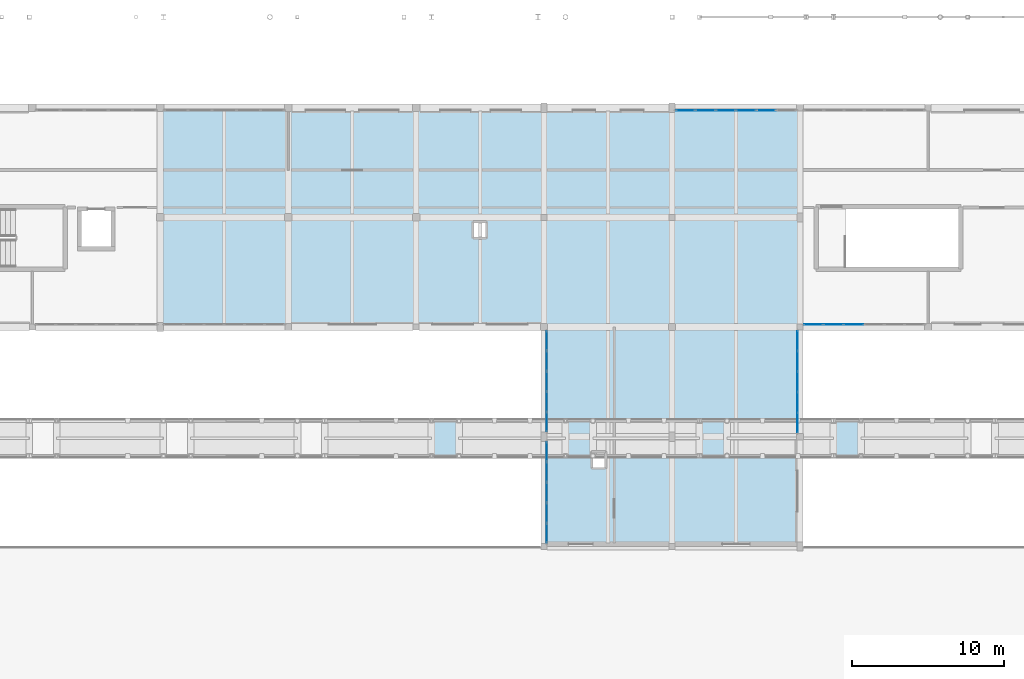
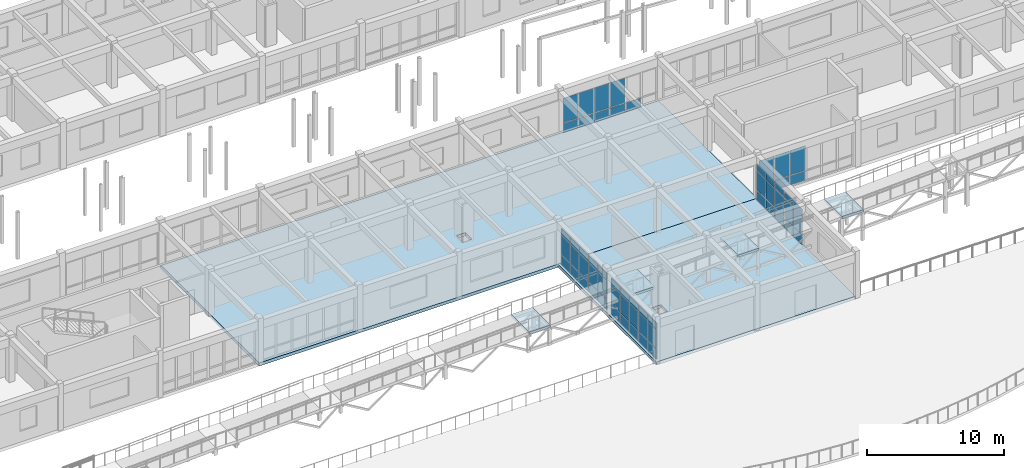
# One storey, part 58 of 90: 60 plates, 6 slabs, 6 elements without a shape of their own.
"""IFC4 building model written with IfcOpenShell, lengths in metres."""

from ifc_helpers import new_model, si_unit, direction, frame, origin, origin_2d, place, context, subcontext, project, spatial, polyline, rectangle, outline, extrude, material, layer, layer_set, type_object, element, aggregate, save


model = new_model("IFC4")

# Units and contexts
model_context = context("Model", 3, precision=1e-05, world=origin(), true_north=direction((0.0, 1.0)))
body_context = subcontext(model_context, "Body", "Model", "MODEL_VIEW")
ifc_project = project(units=[si_unit("LENGTHUNIT", "METRE"), si_unit("AREAUNIT", "SQUARE_METRE"), si_unit("VOLUMEUNIT", "CUBIC_METRE"), si_unit("PLANEANGLEUNIT", "RADIAN"), si_unit("MASSUNIT", "GRAM", prefix="KILO")], contexts=[model_context])

# Site, building, storey
site_placement = place(None, origin())
site = spatial("IfcSite", under=ifc_project, at=site_placement, CompositionType="ELEMENT")
building_placement = place(site_placement, origin())
building = spatial("IfcBuilding", under=site, at=building_placement, Name="Malvenik Polytechnic", CompositionType="ELEMENT")
storey_placement = place(building_placement, frame((0.0, 0.0, 9.300048828125)))
storey = spatial("IfcBuildingStorey", under=building, at=storey_placement, Name="L02", CompositionType="ELEMENT", Elevation=9.300048828125)

# Curtain wall, plates
ifc_material_1 = material(Name="Anodised aluminium 6060-T6", Category="aluminium")
curtain_wall_type_1 = type_object("IfcCurtainWallType", Name="ARC-CW-CW-06", PredefinedType="NOTDEFINED", material=ifc_material_1)
curtain_wall_1_placement = place(storey_placement, origin())
curtain_wall_1 = element("IfcCurtainWall", 1, at=curtain_wall_1_placement, inside=storey, type_object=curtain_wall_type_1, Name="Unitised Curtain Wall CW-06 L02 #135", PredefinedType="NOTDEFINED")
ifc_material_2 = material(Name="Triple solar-control glazing 8-14-6-14-8", Category="glass")
ifc_layer_1 = layer(ifc_material_2, 0.035888671875)
ifc_layer_set_1 = layer_set([ifc_layer_1], Name="Triple solar-control glazing 8-14-6-14-8")
plate_type_1 = type_object("IfcPlateType", Name="ARC-CWP-CP-GLZ36", PredefinedType="CURTAIN_PANEL", material=ifc_layer_set_1)
plate_1_placement = place(storey_placement, frame((75.77001953125, 36.88330078125, 0.97998046875), z_axis=(0.0, 0.0, 1.0), x_axis=(0.0, 1.0, 0.0)))
plate_1 = element("IfcPlate", 2, at=plate_1_placement, type_object=plate_type_1, Name="CW-06 panel 1.2", PredefinedType="CURTAIN_PANEL", context=body_context, shape_type="SweptSolid", body=[
    extrude(rectangle(XDim=1.250732421875, YDim=0.028076171875, at=origin_2d()), origin(), (0.0, 0.0, 1.0), 1.669921875),
])
plate_2_placement = place(storey_placement, frame((75.77001953125, 36.88330078125, 2.7099609375), z_axis=(0.0, 0.0, 1.0), x_axis=(0.0, 1.0, 0.0)))
plate_2 = element("IfcPlate", 3, at=plate_2_placement, type_object=plate_type_1, Name="CW-06 panel 1.3", PredefinedType="CURTAIN_PANEL", context=body_context, shape_type="SweptSolid", body=[
    extrude(rectangle(XDim=1.250732421875, YDim=0.028076171875, at=origin_2d()), origin(), (0.0, 0.0, 1.0), 0.56005859375),
])
plate_3_placement = place(storey_placement, frame((75.77001953125, 38.209228515625, 0.97998046875), z_axis=(0.0, 0.0, 1.0), x_axis=(0.0, 1.0, 0.0)))
plate_3 = element("IfcPlate", 4, at=plate_3_placement, type_object=plate_type_1, Name="CW-06 panel 2.2", PredefinedType="CURTAIN_PANEL", context=body_context, shape_type="SweptSolid", body=[
    extrude(rectangle(XDim=1.28076171875, YDim=0.028076171875, at=origin_2d()), origin(), (0.0, 0.0, 1.0), 1.669921875),
])
plate_4_placement = place(storey_placement, frame((75.77001953125, 38.209228515625, 2.7099609375), z_axis=(0.0, 0.0, 1.0), x_axis=(0.0, 1.0, 0.0)))
plate_4 = element("IfcPlate", 5, at=plate_4_placement, type_object=plate_type_1, Name="CW-06 panel 2.3", PredefinedType="CURTAIN_PANEL", context=body_context, shape_type="SweptSolid", body=[
    extrude(rectangle(XDim=1.28076171875, YDim=0.028076171875, at=origin_2d()), origin(), (0.0, 0.0, 1.0), 0.56005859375),
])
plate_5_placement = place(storey_placement, frame((75.77001953125, 39.550048828125, 0.97998046875), z_axis=(0.0, 0.0, 1.0), x_axis=(0.0, 1.0, 0.0)))
plate_5 = element("IfcPlate", 6, at=plate_5_placement, type_object=plate_type_1, Name="CW-06 panel 3.2", PredefinedType="CURTAIN_PANEL", context=body_context, shape_type="SweptSolid", body=[
    extrude(rectangle(XDim=1.28076171875, YDim=0.028076171875, at=origin_2d()), origin(), (0.0, 0.0, 1.0), 1.669921875),
])
plate_6_placement = place(storey_placement, frame((75.77001953125, 39.550048828125, 2.7099609375), z_axis=(0.0, 0.0, 1.0), x_axis=(0.0, 1.0, 0.0)))
plate_6 = element("IfcPlate", 7, at=plate_6_placement, type_object=plate_type_1, Name="CW-06 panel 3.3", PredefinedType="CURTAIN_PANEL", context=body_context, shape_type="SweptSolid", body=[
    extrude(rectangle(XDim=1.28076171875, YDim=0.028076171875, at=origin_2d()), origin(), (0.0, 0.0, 1.0), 0.56005859375),
])
plate_7_placement = place(storey_placement, frame((75.77001953125, 40.890869140625, 0.97998046875), z_axis=(0.0, 0.0, 1.0), x_axis=(0.0, 1.0, 0.0)))
plate_7 = element("IfcPlate", 8, at=plate_7_placement, type_object=plate_type_1, Name="CW-06 panel 4.2", PredefinedType="CURTAIN_PANEL", context=body_context, shape_type="SweptSolid", body=[
    extrude(rectangle(XDim=1.28076171875, YDim=0.028076171875, at=origin_2d()), origin(), (0.0, 0.0, 1.0), 1.669921875),
])
plate_8_placement = place(storey_placement, frame((75.77001953125, 40.890869140625, 2.7099609375), z_axis=(0.0, 0.0, 1.0), x_axis=(0.0, 1.0, 0.0)))
plate_8 = element("IfcPlate", 9, at=plate_8_placement, type_object=plate_type_1, Name="CW-06 panel 4.3", PredefinedType="CURTAIN_PANEL", context=body_context, shape_type="SweptSolid", body=[
    extrude(rectangle(XDim=1.28076171875, YDim=0.028076171875, at=origin_2d()), origin(), (0.0, 0.0, 1.0), 0.56005859375),
])
plate_9_placement = place(storey_placement, frame((75.77001953125, 42.216552734375, 0.97998046875), z_axis=(0.0, 0.0, 1.0), x_axis=(0.0, 1.0, 0.0)))
plate_9 = element("IfcPlate", 10, at=plate_9_placement, type_object=plate_type_1, Name="CW-06 panel 5.2", PredefinedType="CURTAIN_PANEL", context=body_context, shape_type="SweptSolid", body=[
    extrude(rectangle(XDim=1.250732421875, YDim=0.028076171875, at=origin_2d()), origin(), (0.0, 0.0, 1.0), 1.669921875),
])
plate_10_placement = place(storey_placement, frame((75.77001953125, 42.216552734375, 2.7099609375), z_axis=(0.0, 0.0, 1.0), x_axis=(0.0, 1.0, 0.0)))
plate_10 = element("IfcPlate", 11, at=plate_10_placement, type_object=plate_type_1, Name="CW-06 panel 5.3", PredefinedType="CURTAIN_PANEL", context=body_context, shape_type="SweptSolid", body=[
    extrude(rectangle(XDim=1.250732421875, YDim=0.028076171875, at=origin_2d()), origin(), (0.0, 0.0, 1.0), 0.56005859375),
])

curtain_wall_2_placement = place(storey_placement, origin())
curtain_wall_2 = element("IfcCurtainWall", 12, at=curtain_wall_2_placement, inside=storey, type_object=curtain_wall_type_1, Name="Unitised Curtain Wall CW-06 L02 #136", PredefinedType="NOTDEFINED")
plate_11_placement = place(storey_placement, frame((75.77001953125, 44.180908203125, 0.97998046875), z_axis=(0.0, 0.0, 1.0), x_axis=(0.0, 1.0, 0.0)))
plate_11 = element("IfcPlate", 13, at=plate_11_placement, type_object=plate_type_1, Name="CW-06 panel 1.2", PredefinedType="CURTAIN_PANEL", context=body_context, shape_type="SweptSolid", body=[
    extrude(rectangle(XDim=1.245849609375, YDim=0.028076171875, at=origin_2d()), origin(), (0.0, 0.0, 1.0), 1.669921875),
])
plate_12_placement = place(storey_placement, frame((75.77001953125, 44.180908203125, 2.7099609375), z_axis=(0.0, 0.0, 1.0), x_axis=(0.0, 1.0, 0.0)))
plate_12 = element("IfcPlate", 14, at=plate_12_placement, type_object=plate_type_1, Name="CW-06 panel 1.3", PredefinedType="CURTAIN_PANEL", context=body_context, shape_type="SweptSolid", body=[
    extrude(rectangle(XDim=1.245849609375, YDim=0.028076171875, at=origin_2d()), origin(), (0.0, 0.0, 1.0), 0.56005859375),
])
plate_13_placement = place(storey_placement, frame((75.77001953125, 45.501708984375, 0.97998046875), z_axis=(0.0, 0.0, 1.0), x_axis=(0.0, 1.0, 0.0)))
plate_13 = element("IfcPlate", 15, at=plate_13_placement, type_object=plate_type_1, Name="CW-06 panel 2.2", PredefinedType="CURTAIN_PANEL", context=body_context, shape_type="SweptSolid", body=[
    extrude(rectangle(XDim=1.27587890625, YDim=0.028076171875, at=origin_2d()), origin(), (0.0, 0.0, 1.0), 1.669921875),
])
plate_14_placement = place(storey_placement, frame((75.77001953125, 45.501708984375, 2.7099609375), z_axis=(0.0, 0.0, 1.0), x_axis=(0.0, 1.0, 0.0)))
plate_14 = element("IfcPlate", 16, at=plate_14_placement, type_object=plate_type_1, Name="CW-06 panel 2.3", PredefinedType="CURTAIN_PANEL", context=body_context, shape_type="SweptSolid", body=[
    extrude(rectangle(XDim=1.27587890625, YDim=0.028076171875, at=origin_2d()), origin(), (0.0, 0.0, 1.0), 0.56005859375),
])
plate_15_placement = place(storey_placement, frame((75.77001953125, 46.83740234375, 0.97998046875), z_axis=(0.0, 0.0, 1.0), x_axis=(0.0, 1.0, 0.0)))
plate_15 = element("IfcPlate", 17, at=plate_15_placement, type_object=plate_type_1, Name="CW-06 panel 3.2", PredefinedType="CURTAIN_PANEL", context=body_context, shape_type="SweptSolid", body=[
    extrude(rectangle(XDim=1.27587890625, YDim=0.028076171875, at=origin_2d()), origin(), (0.0, 0.0, 1.0), 1.669921875),
])
plate_16_placement = place(storey_placement, frame((75.77001953125, 46.83740234375, 2.7099609375), z_axis=(0.0, 0.0, 1.0), x_axis=(0.0, 1.0, 0.0)))
plate_16 = element("IfcPlate", 18, at=plate_16_placement, type_object=plate_type_1, Name="CW-06 panel 3.3", PredefinedType="CURTAIN_PANEL", context=body_context, shape_type="SweptSolid", body=[
    extrude(rectangle(XDim=1.27587890625, YDim=0.028076171875, at=origin_2d()), origin(), (0.0, 0.0, 1.0), 0.56005859375),
])
plate_17_placement = place(storey_placement, frame((75.77001953125, 48.17333984375, 0.97998046875), z_axis=(0.0, 0.0, 1.0), x_axis=(0.0, 1.0, 0.0)))
plate_17 = element("IfcPlate", 19, at=plate_17_placement, type_object=plate_type_1, Name="CW-06 panel 4.2", PredefinedType="CURTAIN_PANEL", context=body_context, shape_type="SweptSolid", body=[
    extrude(rectangle(XDim=1.27587890625, YDim=0.028076171875, at=origin_2d()), origin(), (0.0, 0.0, 1.0), 1.669921875),
])
plate_18_placement = place(storey_placement, frame((75.77001953125, 48.17333984375, 2.7099609375), z_axis=(0.0, 0.0, 1.0), x_axis=(0.0, 1.0, 0.0)))
plate_18 = element("IfcPlate", 20, at=plate_18_placement, type_object=plate_type_1, Name="CW-06 panel 4.3", PredefinedType="CURTAIN_PANEL", context=body_context, shape_type="SweptSolid", body=[
    extrude(rectangle(XDim=1.27587890625, YDim=0.028076171875, at=origin_2d()), origin(), (0.0, 0.0, 1.0), 0.56005859375),
])
plate_19_placement = place(storey_placement, frame((75.77001953125, 49.494140625, 0.97998046875), z_axis=(0.0, 0.0, 1.0), x_axis=(0.0, 1.0, 0.0)))
plate_19 = element("IfcPlate", 21, at=plate_19_placement, type_object=plate_type_1, Name="CW-06 panel 5.2", PredefinedType="CURTAIN_PANEL", context=body_context, shape_type="SweptSolid", body=[
    extrude(rectangle(XDim=1.245849609375, YDim=0.028076171875, at=origin_2d()), origin(), (0.0, 0.0, 1.0), 1.669921875),
])
plate_20_placement = place(storey_placement, frame((75.77001953125, 49.494140625, 2.7099609375), z_axis=(0.0, 0.0, 1.0), x_axis=(0.0, 1.0, 0.0)))
plate_20 = element("IfcPlate", 22, at=plate_20_placement, type_object=plate_type_1, Name="CW-06 panel 5.3", PredefinedType="CURTAIN_PANEL", context=body_context, shape_type="SweptSolid", body=[
    extrude(rectangle(XDim=1.245849609375, YDim=0.028076171875, at=origin_2d()), origin(), (0.0, 0.0, 1.0), 0.56005859375),
])

curtain_wall_type_2 = type_object("IfcCurtainWallType", Name="ARC-CW-CW-03", PredefinedType="NOTDEFINED", material=ifc_material_1)
curtain_wall_3_placement = place(storey_placement, origin())
curtain_wall_3 = element("IfcCurtainWall", 23, at=curtain_wall_3_placement, inside=storey, type_object=curtain_wall_type_2, Name="Unitised Curtain Wall CW-03 L02 #141", PredefinedType="NOTDEFINED")
plate_21_placement = place(storey_placement, frame((84.8779296875, 64.6298828125, 0.929931640625), z_axis=(0.0, 0.0, 1.0), x_axis=(1.0, 0.0, 0.0)))
plate_21 = element("IfcPlate", 24, at=plate_21_placement, type_object=plate_type_1, Name="CW-03 panel 1.2", PredefinedType="CURTAIN_PANEL", context=body_context, shape_type="SweptSolid", body=[
    extrude(rectangle(XDim=1.23974609375, YDim=0.028076171875, at=origin_2d()), origin(), (0.0, 0.0, 1.0), 2.18994140625),
])
plate_22_placement = place(storey_placement, frame((86.19287109375, 64.6298828125, 0.929931640625), z_axis=(0.0, 0.0, 1.0), x_axis=(1.0, 0.0, 0.0)))
plate_22 = element("IfcPlate", 25, at=plate_22_placement, type_object=plate_type_1, Name="CW-03 panel 2.2", PredefinedType="CURTAIN_PANEL", context=body_context, shape_type="SweptSolid", body=[
    extrude(rectangle(XDim=1.269775390625, YDim=0.028076171875, at=origin_2d()), origin(), (0.0, 0.0, 1.0), 2.18994140625),
])
plate_23_placement = place(storey_placement, frame((87.522705078125, 64.6298828125, 0.929931640625), z_axis=(0.0, 0.0, 1.0), x_axis=(1.0, 0.0, 0.0)))
plate_23 = element("IfcPlate", 26, at=plate_23_placement, type_object=plate_type_1, Name="CW-03 panel 3.2", PredefinedType="CURTAIN_PANEL", context=body_context, shape_type="SweptSolid", body=[
    extrude(rectangle(XDim=1.269775390625, YDim=0.028076171875, at=origin_2d()), origin(), (0.0, 0.0, 1.0), 2.18994140625),
])
plate_24_placement = place(storey_placement, frame((88.852294921875, 64.6298828125, 0.929931640625), z_axis=(0.0, 0.0, 1.0), x_axis=(1.0, 0.0, 0.0)))
plate_24 = element("IfcPlate", 27, at=plate_24_placement, type_object=plate_type_1, Name="CW-03 panel 4.2", PredefinedType="CURTAIN_PANEL", context=body_context, shape_type="SweptSolid", body=[
    extrude(rectangle(XDim=1.269775390625, YDim=0.028076171875, at=origin_2d()), origin(), (0.0, 0.0, 1.0), 2.18994140625),
])

curtain_wall_4_placement = place(storey_placement, origin())
curtain_wall_4 = element("IfcCurtainWall", 28, at=curtain_wall_4_placement, inside=storey, type_object=curtain_wall_type_2, Name="Unitised Curtain Wall CW-03 L02 #145", PredefinedType="NOTDEFINED")
plate_25_placement = place(storey_placement, frame((95.922607421875, 50.570068359375, 0.929931640625), z_axis=(0.0, 0.0, 1.0), x_axis=(-1.0, 0.0, 0.0)))
plate_25 = element("IfcPlate", 29, at=plate_25_placement, type_object=plate_type_1, Name="CW-03 panel 4.2", PredefinedType="CURTAIN_PANEL", context=body_context, shape_type="SweptSolid", body=[
    extrude(rectangle(XDim=1.269775390625, YDim=0.028076171875, at=origin_2d()), origin(), (0.0, 0.0, 1.0), 2.18994140625),
])
plate_26_placement = place(storey_placement, frame((94.5927734375, 50.570068359375, 0.929931640625), z_axis=(0.0, 0.0, 1.0), x_axis=(-1.0, 0.0, 0.0)))
plate_26 = element("IfcPlate", 30, at=plate_26_placement, type_object=plate_type_1, Name="CW-03 panel 5.2", PredefinedType="CURTAIN_PANEL", context=body_context, shape_type="SweptSolid", body=[
    extrude(rectangle(XDim=1.269775390625, YDim=0.028076171875, at=origin_2d()), origin(), (0.0, 0.0, 1.0), 2.18994140625),
])
plate_27_placement = place(storey_placement, frame((93.27783203125, 50.570068359375, 0.929931640625), z_axis=(0.0, 0.0, 1.0), x_axis=(-1.0, 0.0, 0.0)))
plate_27 = element("IfcPlate", 31, at=plate_27_placement, type_object=plate_type_1, Name="CW-03 panel 6.2", PredefinedType="CURTAIN_PANEL", context=body_context, shape_type="SweptSolid", body=[
    extrude(rectangle(XDim=1.23974609375, YDim=0.028076171875, at=origin_2d()), origin(), (0.0, 0.0, 1.0), 2.18994140625),
])

curtain_wall_5_placement = place(storey_placement, origin())
curtain_wall_5 = element("IfcCurtainWall", 32, at=curtain_wall_5_placement, inside=storey, type_object=curtain_wall_type_1, Name="Unitised Curtain Wall CW-06 L02 #146", PredefinedType="NOTDEFINED")
plate_28_placement = place(storey_placement, frame((92.22998046875, 49.509033203125, 0.97998046875), z_axis=(0.0, 0.0, 1.0), x_axis=(0.0, -1.0, 0.0)))
plate_28 = element("IfcPlate", 33, at=plate_28_placement, type_object=plate_type_1, Name="CW-06 panel 1.2", PredefinedType="CURTAIN_PANEL", context=body_context, shape_type="SweptSolid", body=[
    extrude(rectangle(XDim=1.265869140625, YDim=0.028076171875, at=origin_2d()), origin(), (0.0, 0.0, 1.0), 1.669921875),
])
plate_29_placement = place(storey_placement, frame((92.22998046875, 49.509033203125, 2.7099609375), z_axis=(0.0, 0.0, 1.0), x_axis=(0.0, -1.0, 0.0)))
plate_29 = element("IfcPlate", 34, at=plate_29_placement, type_object=plate_type_1, Name="CW-06 panel 1.3", PredefinedType="CURTAIN_PANEL", context=body_context, shape_type="SweptSolid", body=[
    extrude(rectangle(XDim=1.265869140625, YDim=0.028076171875, at=origin_2d()), origin(), (0.0, 0.0, 1.0), 0.56005859375),
])
plate_30_placement = place(storey_placement, frame((92.22998046875, 48.168212890625, 0.97998046875), z_axis=(0.0, 0.0, 1.0), x_axis=(0.0, -1.0, 0.0)))
plate_30 = element("IfcPlate", 35, at=plate_30_placement, type_object=plate_type_1, Name="CW-06 panel 2.2", PredefinedType="CURTAIN_PANEL", context=body_context, shape_type="SweptSolid", body=[
    extrude(rectangle(XDim=1.2958984375, YDim=0.028076171875, at=origin_2d()), origin(), (0.0, 0.0, 1.0), 1.669921875),
])
plate_31_placement = place(storey_placement, frame((92.22998046875, 48.168212890625, 2.7099609375), z_axis=(0.0, 0.0, 1.0), x_axis=(0.0, -1.0, 0.0)))
plate_31 = element("IfcPlate", 36, at=plate_31_placement, type_object=plate_type_1, Name="CW-06 panel 2.3", PredefinedType="CURTAIN_PANEL", context=body_context, shape_type="SweptSolid", body=[
    extrude(rectangle(XDim=1.2958984375, YDim=0.028076171875, at=origin_2d()), origin(), (0.0, 0.0, 1.0), 0.56005859375),
])
plate_32_placement = place(storey_placement, frame((92.22998046875, 46.8125, 0.97998046875), z_axis=(0.0, 0.0, 1.0), x_axis=(0.0, -1.0, 0.0)))
plate_32 = element("IfcPlate", 37, at=plate_32_placement, type_object=plate_type_1, Name="CW-06 panel 3.2", PredefinedType="CURTAIN_PANEL", context=body_context, shape_type="SweptSolid", body=[
    extrude(rectangle(XDim=1.2958984375, YDim=0.028076171875, at=origin_2d()), origin(), (0.0, 0.0, 1.0), 1.669921875),
])
plate_33_placement = place(storey_placement, frame((92.22998046875, 46.8125, 2.7099609375), z_axis=(0.0, 0.0, 1.0), x_axis=(0.0, -1.0, 0.0)))
plate_33 = element("IfcPlate", 38, at=plate_33_placement, type_object=plate_type_1, Name="CW-06 panel 3.3", PredefinedType="CURTAIN_PANEL", context=body_context, shape_type="SweptSolid", body=[
    extrude(rectangle(XDim=1.2958984375, YDim=0.028076171875, at=origin_2d()), origin(), (0.0, 0.0, 1.0), 0.56005859375),
])
plate_34_placement = place(storey_placement, frame((92.22998046875, 45.456787109375, 0.97998046875), z_axis=(0.0, 0.0, 1.0), x_axis=(0.0, -1.0, 0.0)))
plate_34 = element("IfcPlate", 39, at=plate_34_placement, type_object=plate_type_1, Name="CW-06 panel 4.2", PredefinedType="CURTAIN_PANEL", context=body_context, shape_type="SweptSolid", body=[
    extrude(rectangle(XDim=1.2958984375, YDim=0.028076171875, at=origin_2d()), origin(), (0.0, 0.0, 1.0), 1.669921875),
])
plate_35_placement = place(storey_placement, frame((92.22998046875, 45.456787109375, 2.7099609375), z_axis=(0.0, 0.0, 1.0), x_axis=(0.0, -1.0, 0.0)))
plate_35 = element("IfcPlate", 40, at=plate_35_placement, type_object=plate_type_1, Name="CW-06 panel 4.3", PredefinedType="CURTAIN_PANEL", context=body_context, shape_type="SweptSolid", body=[
    extrude(rectangle(XDim=1.2958984375, YDim=0.028076171875, at=origin_2d()), origin(), (0.0, 0.0, 1.0), 0.56005859375),
])
plate_36_placement = place(storey_placement, frame((92.22998046875, 44.115966796875, 0.97998046875), z_axis=(0.0, 0.0, 1.0), x_axis=(0.0, -1.0, 0.0)))
plate_36 = element("IfcPlate", 41, at=plate_36_placement, type_object=plate_type_1, Name="CW-06 panel 5.2", PredefinedType="CURTAIN_PANEL", context=body_context, shape_type="SweptSolid", body=[
    extrude(rectangle(XDim=1.265869140625, YDim=0.028076171875, at=origin_2d()), origin(), (0.0, 0.0, 1.0), 1.669921875),
])
plate_37_placement = place(storey_placement, frame((92.22998046875, 44.115966796875, 2.7099609375), z_axis=(0.0, 0.0, 1.0), x_axis=(0.0, -1.0, 0.0)))
plate_37 = element("IfcPlate", 42, at=plate_37_placement, type_object=plate_type_1, Name="CW-06 panel 5.3", PredefinedType="CURTAIN_PANEL", context=body_context, shape_type="SweptSolid", body=[
    extrude(rectangle(XDim=1.265869140625, YDim=0.028076171875, at=origin_2d()), origin(), (0.0, 0.0, 1.0), 0.56005859375),
])

# Plate
ifc_material_3 = material(Name="Insulated aluminium spandrel cassette 42mm", Category="aluminium")
ifc_layer_2 = layer(ifc_material_3, 0.0419921875)
ifc_layer_set_2 = layer_set([ifc_layer_2], Name="Insulated aluminium spandrel cassette 42mm")
plate_type_2 = type_object("IfcPlateType", Name="ARC-CWP-CP-SPN42", PredefinedType="CURTAIN_PANEL", material=ifc_layer_set_2)
plate_38_placement = place(storey_placement, frame((75.77001953125, 36.88330078125, 0.06005859375), z_axis=(0.0, 0.0, 1.0), x_axis=(0.0, 1.0, 0.0)))
plate_38 = element("IfcPlate", 43, at=plate_38_placement, type_object=plate_type_2, Name="CW-06 panel 1.1", PredefinedType="CURTAIN_PANEL", context=body_context, shape_type="SweptSolid", body=[
    extrude(rectangle(XDim=1.250732421875, YDim=0.028076171875, at=origin_2d()), origin(), (0.0, 0.0, 1.0), 0.860107421875),
])

plate_39_placement = place(storey_placement, frame((75.77001953125, 38.209228515625, 0.06005859375), z_axis=(0.0, 0.0, 1.0), x_axis=(0.0, 1.0, 0.0)))
plate_39 = element("IfcPlate", 44, at=plate_39_placement, type_object=plate_type_2, Name="CW-06 panel 2.1", PredefinedType="CURTAIN_PANEL", context=body_context, shape_type="SweptSolid", body=[
    extrude(rectangle(XDim=1.28076171875, YDim=0.028076171875, at=origin_2d()), origin(), (0.0, 0.0, 1.0), 0.860107421875),
])

plate_40_placement = place(storey_placement, frame((75.77001953125, 39.550048828125, 0.06005859375), z_axis=(0.0, 0.0, 1.0), x_axis=(0.0, 1.0, 0.0)))
plate_40 = element("IfcPlate", 45, at=plate_40_placement, type_object=plate_type_2, Name="CW-06 panel 3.1", PredefinedType="CURTAIN_PANEL", context=body_context, shape_type="SweptSolid", body=[
    extrude(rectangle(XDim=1.28076171875, YDim=0.028076171875, at=origin_2d()), origin(), (0.0, 0.0, 1.0), 0.860107421875),
])

plate_41_placement = place(storey_placement, frame((75.77001953125, 40.890869140625, 0.06005859375), z_axis=(0.0, 0.0, 1.0), x_axis=(0.0, 1.0, 0.0)))
plate_41 = element("IfcPlate", 46, at=plate_41_placement, type_object=plate_type_2, Name="CW-06 panel 4.1", PredefinedType="CURTAIN_PANEL", context=body_context, shape_type="SweptSolid", body=[
    extrude(rectangle(XDim=1.28076171875, YDim=0.028076171875, at=origin_2d()), origin(), (0.0, 0.0, 1.0), 0.860107421875),
])

plate_42_placement = place(storey_placement, frame((75.77001953125, 42.216552734375, 0.06005859375), z_axis=(0.0, 0.0, 1.0), x_axis=(0.0, 1.0, 0.0)))
plate_42 = element("IfcPlate", 47, at=plate_42_placement, type_object=plate_type_2, Name="CW-06 panel 5.1", PredefinedType="CURTAIN_PANEL", context=body_context, shape_type="SweptSolid", body=[
    extrude(rectangle(XDim=1.250732421875, YDim=0.028076171875, at=origin_2d()), origin(), (0.0, 0.0, 1.0), 0.860107421875),
])

aggregate(curtain_wall_1, [plate_38, plate_1, plate_2, plate_39, plate_3, plate_4, plate_40, plate_5, plate_6, plate_41, plate_7, plate_8, plate_42, plate_9, plate_10])

plate_43_placement = place(storey_placement, frame((75.77001953125, 44.180908203125, 0.06005859375), z_axis=(0.0, 0.0, 1.0), x_axis=(0.0, 1.0, 0.0)))
plate_43 = element("IfcPlate", 48, at=plate_43_placement, type_object=plate_type_2, Name="CW-06 panel 1.1", PredefinedType="CURTAIN_PANEL", context=body_context, shape_type="SweptSolid", body=[
    extrude(rectangle(XDim=1.245849609375, YDim=0.028076171875, at=origin_2d()), origin(), (0.0, 0.0, 1.0), 0.860107421875),
])

plate_44_placement = place(storey_placement, frame((75.77001953125, 45.501708984375, 0.06005859375), z_axis=(0.0, 0.0, 1.0), x_axis=(0.0, 1.0, 0.0)))
plate_44 = element("IfcPlate", 49, at=plate_44_placement, type_object=plate_type_2, Name="CW-06 panel 2.1", PredefinedType="CURTAIN_PANEL", context=body_context, shape_type="SweptSolid", body=[
    extrude(rectangle(XDim=1.27587890625, YDim=0.028076171875, at=origin_2d()), origin(), (0.0, 0.0, 1.0), 0.860107421875),
])

plate_45_placement = place(storey_placement, frame((75.77001953125, 46.83740234375, 0.06005859375), z_axis=(0.0, 0.0, 1.0), x_axis=(0.0, 1.0, 0.0)))
plate_45 = element("IfcPlate", 50, at=plate_45_placement, type_object=plate_type_2, Name="CW-06 panel 3.1", PredefinedType="CURTAIN_PANEL", context=body_context, shape_type="SweptSolid", body=[
    extrude(rectangle(XDim=1.27587890625, YDim=0.028076171875, at=origin_2d()), origin(), (0.0, 0.0, 1.0), 0.860107421875),
])

plate_46_placement = place(storey_placement, frame((75.77001953125, 48.17333984375, 0.06005859375), z_axis=(0.0, 0.0, 1.0), x_axis=(0.0, 1.0, 0.0)))
plate_46 = element("IfcPlate", 51, at=plate_46_placement, type_object=plate_type_2, Name="CW-06 panel 4.1", PredefinedType="CURTAIN_PANEL", context=body_context, shape_type="SweptSolid", body=[
    extrude(rectangle(XDim=1.27587890625, YDim=0.028076171875, at=origin_2d()), origin(), (0.0, 0.0, 1.0), 0.860107421875),
])

plate_47_placement = place(storey_placement, frame((75.77001953125, 49.494140625, 0.06005859375), z_axis=(0.0, 0.0, 1.0), x_axis=(0.0, 1.0, 0.0)))
plate_47 = element("IfcPlate", 52, at=plate_47_placement, type_object=plate_type_2, Name="CW-06 panel 5.1", PredefinedType="CURTAIN_PANEL", context=body_context, shape_type="SweptSolid", body=[
    extrude(rectangle(XDim=1.245849609375, YDim=0.028076171875, at=origin_2d()), origin(), (0.0, 0.0, 1.0), 0.860107421875),
])

aggregate(curtain_wall_2, [plate_43, plate_11, plate_12, plate_44, plate_13, plate_14, plate_45, plate_15, plate_16, plate_46, plate_17, plate_18, plate_47, plate_19, plate_20])

plate_48_placement = place(storey_placement, frame((84.8779296875, 64.6298828125, 0.059814453125), z_axis=(0.0, 0.0, 1.0), x_axis=(1.0, 0.0, 0.0)))
plate_48 = element("IfcPlate", 53, at=plate_48_placement, type_object=plate_type_2, Name="CW-03 panel 1.1", PredefinedType="CURTAIN_PANEL", context=body_context, shape_type="SweptSolid", body=[
    extrude(rectangle(XDim=1.23974609375, YDim=0.028076171875, at=origin_2d()), origin(), (0.0, 0.0, 1.0), 0.81005859375),
])

plate_49_placement = place(storey_placement, frame((86.19287109375, 64.6298828125, 0.059814453125), z_axis=(0.0, 0.0, 1.0), x_axis=(1.0, 0.0, 0.0)))
plate_49 = element("IfcPlate", 54, at=plate_49_placement, type_object=plate_type_2, Name="CW-03 panel 2.1", PredefinedType="CURTAIN_PANEL", context=body_context, shape_type="SweptSolid", body=[
    extrude(rectangle(XDim=1.269775390625, YDim=0.028076171875, at=origin_2d()), origin(), (0.0, 0.0, 1.0), 0.81005859375),
])

plate_50_placement = place(storey_placement, frame((87.522705078125, 64.6298828125, 0.059814453125), z_axis=(0.0, 0.0, 1.0), x_axis=(1.0, 0.0, 0.0)))
plate_50 = element("IfcPlate", 55, at=plate_50_placement, type_object=plate_type_2, Name="CW-03 panel 3.1", PredefinedType="CURTAIN_PANEL", context=body_context, shape_type="SweptSolid", body=[
    extrude(rectangle(XDim=1.269775390625, YDim=0.028076171875, at=origin_2d()), origin(), (0.0, 0.0, 1.0), 0.81005859375),
])

plate_51_placement = place(storey_placement, frame((88.852294921875, 64.6298828125, 0.059814453125), z_axis=(0.0, 0.0, 1.0), x_axis=(1.0, 0.0, 0.0)))
plate_51 = element("IfcPlate", 56, at=plate_51_placement, type_object=plate_type_2, Name="CW-03 panel 4.1", PredefinedType="CURTAIN_PANEL", context=body_context, shape_type="SweptSolid", body=[
    extrude(rectangle(XDim=1.269775390625, YDim=0.028076171875, at=origin_2d()), origin(), (0.0, 0.0, 1.0), 0.81005859375),
])

plate_52_placement = place(storey_placement, frame((90.18212890625, 64.6298828125, 0.059814453125), z_axis=(0.0, 0.0, 1.0), x_axis=(1.0, 0.0, 0.0)))
plate_52 = element("IfcPlate", 57, at=plate_52_placement, type_object=plate_type_2, Name="CW-03 panel 5.1", PredefinedType="CURTAIN_PANEL", context=body_context, shape_type="SweptSolid", body=[
    extrude(rectangle(XDim=1.269775390625, YDim=0.028076171875, at=origin_2d()), origin(), (0.0, 0.0, 1.0), 0.81005859375),
])

aggregate(curtain_wall_3, [plate_48, plate_21, plate_49, plate_22, plate_50, plate_23, plate_51, plate_24, plate_52])

plate_53_placement = place(storey_placement, frame((95.922607421875, 50.570068359375, 0.059814453125), z_axis=(0.0, 0.0, 1.0), x_axis=(-1.0, 0.0, 0.0)))
plate_53 = element("IfcPlate", 58, at=plate_53_placement, type_object=plate_type_2, Name="CW-03 panel 4.1", PredefinedType="CURTAIN_PANEL", context=body_context, shape_type="SweptSolid", body=[
    extrude(rectangle(XDim=1.269775390625, YDim=0.028076171875, at=origin_2d()), origin(), (0.0, 0.0, 1.0), 0.81005859375),
])

plate_54_placement = place(storey_placement, frame((94.5927734375, 50.570068359375, 0.059814453125), z_axis=(0.0, 0.0, 1.0), x_axis=(-1.0, 0.0, 0.0)))
plate_54 = element("IfcPlate", 59, at=plate_54_placement, type_object=plate_type_2, Name="CW-03 panel 5.1", PredefinedType="CURTAIN_PANEL", context=body_context, shape_type="SweptSolid", body=[
    extrude(rectangle(XDim=1.269775390625, YDim=0.028076171875, at=origin_2d()), origin(), (0.0, 0.0, 1.0), 0.81005859375),
])

plate_55_placement = place(storey_placement, frame((93.27783203125, 50.570068359375, 0.059814453125), z_axis=(0.0, 0.0, 1.0), x_axis=(-1.0, 0.0, 0.0)))
plate_55 = element("IfcPlate", 60, at=plate_55_placement, type_object=plate_type_2, Name="CW-03 panel 6.1", PredefinedType="CURTAIN_PANEL", context=body_context, shape_type="SweptSolid", body=[
    extrude(rectangle(XDim=1.23974609375, YDim=0.028076171875, at=origin_2d()), origin(), (0.0, 0.0, 1.0), 0.81005859375),
])

aggregate(curtain_wall_4, [plate_53, plate_25, plate_54, plate_26, plate_55, plate_27])

plate_56_placement = place(storey_placement, frame((92.22998046875, 49.509033203125, 0.06005859375), z_axis=(0.0, 0.0, 1.0), x_axis=(0.0, -1.0, 0.0)))
plate_56 = element("IfcPlate", 61, at=plate_56_placement, type_object=plate_type_2, Name="CW-06 panel 1.1", PredefinedType="CURTAIN_PANEL", context=body_context, shape_type="SweptSolid", body=[
    extrude(rectangle(XDim=1.265869140625, YDim=0.028076171875, at=origin_2d()), origin(), (0.0, 0.0, 1.0), 0.860107421875),
])

plate_57_placement = place(storey_placement, frame((92.22998046875, 48.168212890625, 0.06005859375), z_axis=(0.0, 0.0, 1.0), x_axis=(0.0, -1.0, 0.0)))
plate_57 = element("IfcPlate", 62, at=plate_57_placement, type_object=plate_type_2, Name="CW-06 panel 2.1", PredefinedType="CURTAIN_PANEL", context=body_context, shape_type="SweptSolid", body=[
    extrude(rectangle(XDim=1.2958984375, YDim=0.028076171875, at=origin_2d()), origin(), (0.0, 0.0, 1.0), 0.860107421875),
])

plate_58_placement = place(storey_placement, frame((92.22998046875, 46.8125, 0.06005859375), z_axis=(0.0, 0.0, 1.0), x_axis=(0.0, -1.0, 0.0)))
plate_58 = element("IfcPlate", 63, at=plate_58_placement, type_object=plate_type_2, Name="CW-06 panel 3.1", PredefinedType="CURTAIN_PANEL", context=body_context, shape_type="SweptSolid", body=[
    extrude(rectangle(XDim=1.2958984375, YDim=0.028076171875, at=origin_2d()), origin(), (0.0, 0.0, 1.0), 0.860107421875),
])

plate_59_placement = place(storey_placement, frame((92.22998046875, 45.456787109375, 0.06005859375), z_axis=(0.0, 0.0, 1.0), x_axis=(0.0, -1.0, 0.0)))
plate_59 = element("IfcPlate", 64, at=plate_59_placement, type_object=plate_type_2, Name="CW-06 panel 4.1", PredefinedType="CURTAIN_PANEL", context=body_context, shape_type="SweptSolid", body=[
    extrude(rectangle(XDim=1.2958984375, YDim=0.028076171875, at=origin_2d()), origin(), (0.0, 0.0, 1.0), 0.860107421875),
])

plate_60_placement = place(storey_placement, frame((92.22998046875, 44.115966796875, 0.06005859375), z_axis=(0.0, 0.0, 1.0), x_axis=(0.0, -1.0, 0.0)))
plate_60 = element("IfcPlate", 65, at=plate_60_placement, type_object=plate_type_2, Name="CW-06 panel 5.1", PredefinedType="CURTAIN_PANEL", context=body_context, shape_type="SweptSolid", body=[
    extrude(rectangle(XDim=1.265869140625, YDim=0.028076171875, at=origin_2d()), origin(), (0.0, 0.0, 1.0), 0.860107421875),
])

aggregate(curtain_wall_5, [plate_56, plate_28, plate_29, plate_57, plate_30, plate_31, plate_58, plate_32, plate_33, plate_59, plate_34, plate_35, plate_60, plate_36, plate_37])

# Ramp, slabs
ifc_material_4 = material(Name="Concrete C35/45", Category="concrete")
ramp_type = type_object("IfcRampType", Name="ARC-RMP-PED", PredefinedType="STRAIGHT_RUN_RAMP", material=ifc_material_4)
ramp_placement = place(storey_placement, origin())
ramp = element("IfcRamp", 66, at=ramp_placement, inside=storey, type_object=ramp_type, Name="Accessible Pedestrian Ramp RB-01", PredefinedType="STRAIGHT_RUN_RAMP")
ifc_layer_3 = layer(ifc_material_4, 0.219970703125)
ifc_layer_set_3 = layer_set([ifc_layer_3], Name="Concrete C35/45")
slab_type_1 = type_object("IfcSlabType", Name="ARC-SLB-RLND", PredefinedType="LANDING", material=ifc_layer_set_3)
slab_1_placement = place(storey_placement, frame((0.0, 0.0, 1.530029296875)))
slab_1 = element("IfcSlab", 67, at=slab_1_placement, type_object=slab_type_1, Name="Ramp Intermediate Landing RB-01 #5", PredefinedType="LANDING", context=body_context, shape_type="SweptSolid", body=[
    extrude(outline(polyline([(68.199951171875, 41.800048828125), (70.0, 41.800048828125), (70.0, 44.39990234375), (68.199951171875, 44.39990234375), (68.199951171875, 41.800048828125)])), origin(), (0.0, 0.0, 1.0), 0.219970703125),
])
slab_2_placement = place(storey_placement, frame((0.0, 0.0, 1.8798828125)))
slab_2 = element("IfcSlab", 68, at=slab_2_placement, type_object=slab_type_1, Name="Ramp Intermediate Landing RB-01 #6", PredefinedType="LANDING", context=body_context, shape_type="SweptSolid", body=[
    extrude(outline(polyline([(77.0, 41.800048828125), (78.800048828125, 41.800048828125), (78.800048828125, 44.39990234375), (77.0, 44.39990234375), (77.0, 41.800048828125)])), origin(), (0.0, 0.0, 1.0), 0.219970703125),
])
slab_3_placement = place(storey_placement, frame((0.0, 0.0, 2.22998046875)))
slab_3 = element("IfcSlab", 69, at=slab_3_placement, type_object=slab_type_1, Name="Ramp Intermediate Landing RB-01 #7", PredefinedType="LANDING", context=body_context, shape_type="SweptSolid", body=[
    extrude(outline(polyline([(85.800048828125, 41.800048828125), (87.60009765625, 41.800048828125), (87.60009765625, 44.39990234375), (85.800048828125, 44.39990234375), (85.800048828125, 41.800048828125)])), origin(), (0.0, 0.0, 1.0), 0.219970703125),
])
slab_4_placement = place(storey_placement, frame((0.0, 0.0, 2.579833984375)))
slab_4 = element("IfcSlab", 70, at=slab_4_placement, type_object=slab_type_1, Name="Ramp Intermediate Landing RB-01 #8", PredefinedType="LANDING", context=body_context, shape_type="SweptSolid", body=[
    extrude(outline(polyline([(94.60009765625, 41.800048828125), (96.39990234375, 41.800048828125), (96.39990234375, 44.39990234375), (94.60009765625, 44.39990234375), (94.60009765625, 41.800048828125)])), origin(), (0.0, 0.0, 1.0), 0.22021484375),
])
aggregate(ramp, [slab_1, slab_2, slab_3, slab_4])

# Slabs
ifc_layer_4 = layer(ifc_material_4, 0.280029296875)
ifc_layer_set_4 = layer_set([ifc_layer_4], Name="Concrete C35/45")
slab_type_2 = type_object("IfcSlabType", Name="STR-SLB-FLR-280", PredefinedType="FLOOR", material=ifc_layer_set_4)
slab_5_placement = place(storey_placement, frame((0.0, 0.0, -0.280029296875)))
element("IfcSlab", 71, at=slab_5_placement, inside=storey, type_object=slab_type_2, Name="Structural Slab L02-V3 #74", PredefinedType="FLOOR", context=body_context, shape_type="SweptSolid", body=[
    extrude(outline(polyline([(92.3798828125, 64.800048828125), (92.3798828125, 50.39990234375), (50.419921875, 50.39990234375), (50.419921875, 64.800048828125), (92.3798828125, 64.800048828125)]), holes=[polyline([(71.75, 57.25), (71.0, 57.25), (71.0, 56.300048828125), (71.75, 56.300048828125), (71.75, 57.25)])]), origin(), (0.0, 0.0, 1.0), 0.280029296875),
])
slab_6_placement = place(storey_placement, frame((0.0, 0.0, -0.280029296875)))
element("IfcSlab", 72, at=slab_6_placement, inside=storey, type_object=slab_type_2, Name="Structural Slab L02-SP-S #76", PredefinedType="FLOOR", context=body_context, shape_type="SweptSolid", body=[
    extrude(outline(polyline([(75.60009765625, 50.39990234375), (92.3798828125, 50.39990234375), (92.3798828125, 36.0), (75.60009765625, 36.0), (75.60009765625, 50.39990234375)]), holes=[polyline([(78.800048828125, 42.14990234375), (78.800048828125, 41.199951171875), (79.550048828125, 41.199951171875), (79.550048828125, 42.14990234375), (78.800048828125, 42.14990234375)])]), origin(), (0.0, 0.0, 1.0), 0.280029296875),
])

save(model, "model.ifc")
